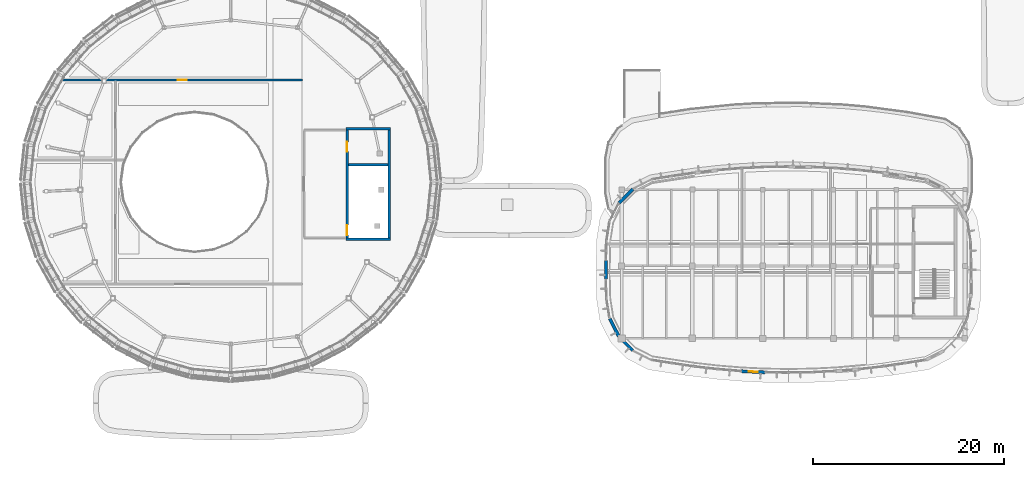
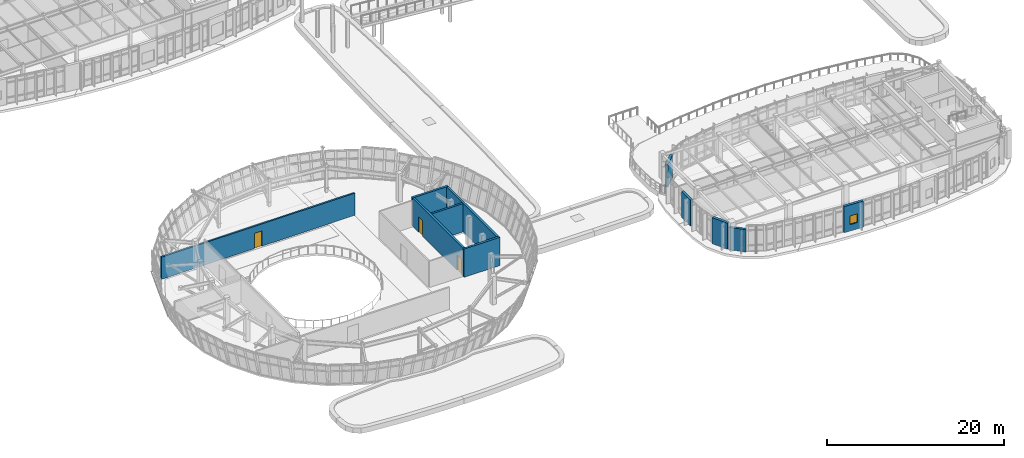
# One storey, part 83 of 111: 11 walls, 3 doors, 1 window, 4 openings.
"""IFC4 building model written with IfcOpenShell, lengths in metres."""

import ifcopenshell
import ifcopenshell.guid

model = None  # the IFC model being written
_history = None  # IfcOwnerHistory: only IFC2X3 demands one
_inside = {}  # id of a spatial element -> (the spatial element, [elements in it])
_under = {}  # id of a project, library or spatial element -> (it, [spatial elements below it])
_declared = {}  # id of a project -> (the project, [libraries it declares])
_typed = {}  # id of a type object -> (the type object, [elements of that type])
_made_of = {}  # id of a material, layer set ... -> (it, [elements and type objects made of it])


def new_model(schema):
    """Start an empty IFC model of exactly this schema.

    Asked for "IFC4X3", IfcOpenShell would pick the latest addendum, in which some entities
    have other attributes; the version numbers below select the first issue.
    IFC2X3 requires an IfcOwnerHistory on every rooted entity: one is made here for all.
    """
    global model, _history
    if schema == "IFC4X3":
        model = ifcopenshell.file(schema_version=(4, 3, 0, 0))
    else:
        model = ifcopenshell.file(schema=schema)
    _inside.clear()
    _under.clear()
    _declared.clear()
    _typed.clear()
    _made_of.clear()
    _history = None
    if model.schema == "IFC2X3":
        org = make("IfcOrganization", Name="unknown")
        user = make(
            "IfcPersonAndOrganization",
            ThePerson=make("IfcPerson", FamilyName="unknown"),
            TheOrganization=org,
        )
        app = make(
            "IfcApplication",
            ApplicationDeveloper=org,
            Version="unknown",
            ApplicationFullName="unknown",
            ApplicationIdentifier="unknown",
        )
        _history = make(
            "IfcOwnerHistory",
            OwningUser=user,
            OwningApplication=app,
            ChangeAction="ADDED",
            CreationDate=0,
        )
    return model


def make(cls, **values):
    """One entity of the class cls with the attributes given. An attribute that is None is left unset."""
    return model.create_entity(
        cls, **{name: value for name, value in values.items() if value is not None}
    )


def rooted(cls, **values):
    """An entity with a GlobalId (a new one), such as an element, a storey or a relation."""
    return make(cls, GlobalId=ifcopenshell.guid.new(), OwnerHistory=_history, **values)


def si_unit(unit_type, name, prefix=None):
    """IfcSIUnit, for example si_unit("LENGTHUNIT", "METRE", prefix="MILLI")."""
    return make("IfcSIUnit", UnitType=unit_type, Prefix=prefix, Name=name)


def assignment(units):
    """IfcUnitAssignment: the units of a project."""
    return None if units is None else make("IfcUnitAssignment", Units=units)


def point(xyz):
    """IfcCartesianPoint."""
    return None if xyz is None else make("IfcCartesianPoint", Coordinates=xyz)


def direction(xyz):
    """IfcDirection."""
    return None if xyz is None else make("IfcDirection", DirectionRatios=xyz)


def frame(location, z_axis=None, x_axis=None):
    """IfcAxis2Placement3D, a coordinate frame: its origin and axes. An axis left out is left unset."""
    return make(
        "IfcAxis2Placement3D",
        Location=point(location),
        Axis=direction(z_axis),
        RefDirection=direction(x_axis),
    )


def frame_2d(location, x_axis=None):
    """IfcAxis2Placement2D, a coordinate frame in the plane: its origin and x axis."""
    return make(
        "IfcAxis2Placement2D", Location=point(location), RefDirection=direction(x_axis)
    )


def origin():
    """The frame at (0, 0, 0) with its axes left unset."""
    return frame((0.0, 0.0, 0.0))


def place(relative_to, where):
    """IfcLocalPlacement: puts the frame where relative to a parent placement (None: the world)."""
    return make(
        "IfcLocalPlacement", PlacementRelTo=relative_to, RelativePlacement=where
    )


def context(
    kind, dimensions, precision=None, world=None, true_north=None, identifier=None
):
    """IfcGeometricRepresentationContext, for example the 3D "Model" context."""
    return make(
        "IfcGeometricRepresentationContext",
        ContextIdentifier=identifier,
        ContextType=kind,
        CoordinateSpaceDimension=dimensions,
        Precision=precision,
        WorldCoordinateSystem=world,
        TrueNorth=true_north,
    )


def subcontext(parent, identifier, kind, view, scale=None):
    """IfcGeometricRepresentationSubContext, for example "Body" below "Model"."""
    return make(
        "IfcGeometricRepresentationSubContext",
        ContextIdentifier=identifier,
        ContextType=kind,
        ParentContext=parent,
        TargetScale=scale,
        TargetView=view,
    )


def project(units=None, contexts=None):
    """IfcProject with its units and contexts."""
    return rooted(
        "IfcProject",
        Name="project",
        RepresentationContexts=contexts,
        UnitsInContext=assignment(units),
    )


def spatial(cls, under=None, at=None, **own):
    """A site, building, storey or space (cls), placed at a placement, below another one or the project."""
    s = rooted(cls, ObjectPlacement=at, **own)
    if under is not None:
        _under.setdefault(under.id(), (under, []))[1].append(s)
    return s


def profile(cls, at=None, kind="AREA", **sizes):
    """A parametric profile (cls). Its sizes go by their IFC names, for example OverallWidth=200.0."""
    return make(cls, ProfileType=kind, Position=at, **sizes)


def rectangle(**sizes):
    """IfcRectangleProfileDef."""
    return profile("IfcRectangleProfileDef", **sizes)


def extrude(swept, where, along, depth):
    """IfcExtrudedAreaSolid: the profile swept, set in the frame where, extruded along a direction by depth."""
    return make(
        "IfcExtrudedAreaSolid",
        SweptArea=swept,
        Position=where,
        ExtrudedDirection=direction(along),
        Depth=depth,
    )


def shape(context_of_items, identifier, shape_type, items):
    """IfcShapeRepresentation: the items that make up one representation, for example the "Body"."""
    return make(
        "IfcShapeRepresentation",
        ContextOfItems=context_of_items,
        RepresentationIdentifier=identifier,
        RepresentationType=shape_type,
        Items=items,
    )


def material(Name=None, Category=None):
    """IfcMaterial."""
    return make("IfcMaterial", Name=Name, Category=Category)


def layer(
    of_material, thickness, ventilated=None, Name=None, Category=None, Priority=None
):
    """IfcMaterialLayer: one layer of a wall or slab, of a material (None: an air gap)."""
    return make(
        "IfcMaterialLayer",
        Material=of_material,
        LayerThickness=thickness,
        IsVentilated=ventilated,
        Name=Name,
        Category=Category,
        Priority=Priority,
    )


def layer_set(layers, Name=None):
    """IfcMaterialLayerSet."""
    return make("IfcMaterialLayerSet", MaterialLayers=layers, LayerSetName=Name)


def made_of(thing, what):
    """Note that an element or type object is made of a material, layer set ...; save() writes the relation."""
    if what is not None:
        _made_of.setdefault(what.id(), (what, []))[1].append(thing)
    return thing


def type_object(cls, material=None, **own):
    """A type object (cls), such as IfcWallType, which elements share."""
    return made_of(rooted(cls, **own), material)


def element(
    cls,
    number,
    at=None,
    inside=None,
    cuts=None,
    type_object=None,
    material=None,
    context=None,
    identifier="Body",
    shape_type=None,
    held_by="IfcProductDefinitionShape",
    body=None,
    shapes=None,
    **own,
):
    """One element of the class cls, such as IfcWall. Its Tag is "e" and its number.

    at: its placement. inside: the storey or other place that contains it. cuts: it is an
    opening in that element (IfcRelVoidsElement). A single representation is given by context,
    identifier, shape_type and body (its items); several are given by shapes. held_by: the class
    of the entity that holds the representations. save() writes the other relations.
    """
    e = rooted(cls, Tag="e%d" % number, ObjectPlacement=at, **own)
    if body is not None:
        shapes = [shape(context, identifier, shape_type, body)]
    if shapes is not None:
        e.Representation = make(held_by, Representations=shapes)
    if inside is not None:
        _inside.setdefault(inside.id(), (inside, []))[1].append(e)
    if cuts is not None:
        rooted(
            "IfcRelVoidsElement", RelatingBuildingElement=cuts, RelatedOpeningElement=e
        )
    if type_object is not None:
        _typed.setdefault(type_object.id(), (type_object, []))[1].append(e)
    return made_of(e, material)


def fill(opening, filler):
    """IfcRelFillsElement: the door or window that sits in an opening."""
    return rooted(
        "IfcRelFillsElement",
        RelatingOpeningElement=opening,
        RelatedBuildingElement=filler,
    )


def aggregate(whole, parts):
    """IfcRelAggregates: a whole, such as a stair, and the parts it consists of."""
    return rooted("IfcRelAggregates", RelatingObject=whole, RelatedObjects=parts)


def save(model, path):
    """Write the relations noted so far, then the file.

    IfcRelAggregates (storeys below a building ...), IfcRelContainedInSpatialStructure (elements
    in a storey), IfcRelDefinesByType, IfcRelAssociatesMaterial and IfcRelDeclares: one each for
    every whole, place, type object, material and project.
    """
    for whole, parts in _under.values():
        aggregate(whole, parts)
    for where, things in _inside.values():
        rooted(
            "IfcRelContainedInSpatialStructure",
            RelatedElements=things,
            RelatingStructure=where,
        )
    for kind, things in _typed.values():
        rooted("IfcRelDefinesByType", RelatedObjects=things, RelatingType=kind)
    for what, things in _made_of.values():
        rooted("IfcRelAssociatesMaterial", RelatedObjects=things, RelatingMaterial=what)
    for by, libraries in _declared.values():
        rooted("IfcRelDeclares", RelatingContext=by, RelatedDefinitions=libraries)
    model.write(path)


model = new_model("IFC4")

# Units and contexts
model_context = context("Model", 3, precision=1e-05, world=origin(), true_north=direction((0.0, 1.0)))
body_context = subcontext(model_context, "Body", "Model", "MODEL_VIEW")
ifc_project = project(units=[si_unit("LENGTHUNIT", "METRE"), si_unit("AREAUNIT", "SQUARE_METRE"), si_unit("VOLUMEUNIT", "CUBIC_METRE"), si_unit("PLANEANGLEUNIT", "RADIAN"), si_unit("MASSUNIT", "GRAM", prefix="KILO")], contexts=[model_context])

# Site, building, storey
site_placement = place(None, origin())
site = spatial("IfcSite", under=ifc_project, at=site_placement, CompositionType="ELEMENT")
building_placement = place(site_placement, origin())
building = spatial("IfcBuilding", under=site, at=building_placement, Name="Corveleigh Park Community Centre", CompositionType="ELEMENT")
storey_placement = place(building_placement, frame((0.0, 0.0, 4.800048828125)))
storey = spatial("IfcBuildingStorey", under=building, at=storey_placement, Name="L01", CompositionType="ELEMENT", Elevation=4.800048828125)

# Walls
ifc_material_1 = material(Name="Precast concrete C40/50", Category="concrete")
ifc_layer_1 = layer(ifc_material_1, 0.300048828125, Name="Precast concrete C40/50", Category="concrete")
ifc_layer_set_1 = layer_set([ifc_layer_1], Name="Precast concrete C40/50")
wall_type_1 = type_object("IfcWallType", Name="WL-EXT-300", PredefinedType="STANDARD", material=ifc_layer_set_1)
wall_1_placement = place(storey_placement, frame((70.347900390625, 17.408935546875, 0.0), z_axis=(0.0, 0.0, 1.0), x_axis=(0.0, 1.0, 0.0)))
element("IfcWall", 1, at=wall_1_placement, inside=storey, type_object=wall_type_1, Name="V3 L01 Precast Facade Wall", PredefinedType="STANDARD", context=body_context, shape_type="SweptSolid", body=[
    extrude(rectangle(XDim=1.982177734375, YDim=0.300048828125, at=frame_2d((0.9912109375, 0.0))), origin(), (0.0, 0.0, 1.0), 3.612060546875),
])
wall_2_placement = place(storey_placement, frame((73.176025390625, 9.926025390625, 0.0), z_axis=(0.0, 0.0, 1.0), x_axis=(-0.707106781187, 0.707106781187, 0.0)))
element("IfcWall", 2, at=wall_2_placement, inside=storey, type_object=wall_type_1, Name="V3 L01 Precast Facade Wall", PredefinedType="STANDARD", context=body_context, shape_type="SweptSolid", body=[
    extrude(rectangle(XDim=2.050537109375, YDim=0.300048828125, at=frame_2d((1.025390625, 0.0))), origin(), (0.0, 0.0, 1.0), 3.10791015625),
])

# Wall, opening, window
ifc_layer_2 = layer(ifc_material_1, 0.320068359375, Name="Precast concrete C40/50", Category="concrete")
ifc_layer_set_2 = layer_set([ifc_layer_2], Name="Precast concrete C40/50")
wall_type_2 = type_object("IfcWallType", Name="WL-EXT-320", PredefinedType="STANDARD", material=ifc_layer_set_2)
wall_3_placement = place(storey_placement, frame((87.02099609375, 7.636962890625, 0.0), z_axis=(0.0, 0.0, 1.0), x_axis=(-0.998800270453, 0.048969579777, 0.0)))
wall_3 = element("IfcWall", 3, at=wall_3_placement, inside=storey, type_object=wall_type_2, Name="V3 L01 Precast Facade Wall", PredefinedType="STANDARD", context=body_context, shape_type="SweptSolid", body=[
    extrude(rectangle(XDim=2.452880859375, YDim=0.320068359375, at=frame_2d((1.2265625, 0.0))), origin(), (0.0, 0.0, 1.0), 3.619873046875),
])
opening_1_placement = place(wall_3_placement, frame((0.77587890625, 0.0, 0.89990234375)))
opening_1 = element("IfcOpeningElement", 4, at=opening_1_placement, cuts=wall_3, Name="Opening W01", PredefinedType="OPENING", context=body_context, shape_type="SweptSolid", body=[
    extrude(rectangle(XDim=0.89990234375, YDim=1.199951171875, at=frame_2d((0.449951171875, 0.60009765625))), frame((0.0, 0.169921875, 0.0), z_axis=(0.0, -1.0, 0.0), x_axis=(1.0, 0.0, 0.0)), (0.0, 0.0, 1.0), 0.340087890625),
])
ifc_material_2 = material(Name="Low-E double glazing", Category="glass")
window_type = type_object("IfcWindowType", Name="WIN-EXT-0900x1200", PartitioningType="SINGLE_PANEL", PredefinedType="WINDOW", material=ifc_material_2)
window_placement = place(opening_1_placement, origin())
window = element("IfcWindow", 5, at=window_placement, inside=storey, type_object=window_type, Name="V3 L01 Window 44", OverallHeight=1.199951171875, OverallWidth=0.89990234375, PartitioningType="SINGLE_PANEL", PredefinedType="WINDOW", context=body_context, shape_type="SweptSolid", body=[
    extrude(rectangle(XDim=0.89990234375, YDim=1.199951171875, at=frame_2d((0.449951171875, 0.60009765625))), frame((0.0, 0.030029296875, 0.0), z_axis=(0.0, -1.0, 0.0), x_axis=(1.0, 0.0, 0.0)), (0.0, 0.0, 1.0), 0.06005859375),
])
fill(opening_1, window)

# Walls
ifc_layer_3 = layer(ifc_material_1, 0.340087890625, Name="Precast concrete C40/50", Category="concrete")
ifc_layer_set_3 = layer_set([ifc_layer_3], Name="Precast concrete C40/50")
wall_type_3 = type_object("IfcWallType", Name="WL-EXT-340", PredefinedType="STANDARD", material=ifc_layer_set_3)
wall_4_placement = place(storey_placement, frame((71.72607421875, 25.424072265625, 0.0), z_axis=(0.0, 0.0, 1.0), x_axis=(0.707106781187, 0.707106781187, 0.0)))
element("IfcWall", 6, at=wall_4_placement, inside=storey, type_object=wall_type_3, Name="V3 L01 Precast Facade Wall", PredefinedType="STANDARD", context=body_context, shape_type="SweptSolid", body=[
    extrude(rectangle(XDim=2.050537109375, YDim=0.340087890625, at=frame_2d((1.025390625, 0.0))), origin(), (0.0, 0.0, 1.0), 3.119873046875),
])
wall_5_placement = place(storey_placement, frame((71.681884765625, 11.43701171875, 0.0), z_axis=(0.0, 0.0, 1.0), x_axis=(-0.454196706874, 0.890901426346, 0.0)))
element("IfcWall", 7, at=wall_5_placement, inside=storey, type_object=wall_type_3, Name="V3 L01 Precast Facade Wall", PredefinedType="STANDARD", context=body_context, shape_type="SweptSolid", body=[
    extrude(rectangle(XDim=2.0517578125, YDim=0.340087890625, at=frame_2d((1.02587890625, 0.0))), origin(), (0.0, 0.0, 1.0), 3.619873046875),
])

# Wall, opening, door
ifc_material_3 = material(Name="Masonry blockwork 7.3 MPa", Category="masonry")
ifc_layer_4 = layer(ifc_material_3, 0.215087890625, Name="Masonry blockwork 7.3 MPa", Category="masonry")
ifc_layer_set_4 = layer_set([ifc_layer_4], Name="Masonry blockwork 7.3 MPa")
wall_type_4 = type_object("IfcWallType", Name="WL-PRT-215", PredefinedType="PARTITIONING", material=ifc_layer_set_4)
wall_6_placement = place(storey_placement, frame((38.5, 38.300048828125, 0.0), z_axis=(0.0, 0.0, 1.0), x_axis=(-1.0, 0.0, 0.0)))
wall_6 = element("IfcWall", 8, at=wall_6_placement, inside=storey, type_object=wall_type_4, Name="Choir and Organ Gallery corridor wall", PredefinedType="PARTITIONING", context=body_context, shape_type="SweptSolid", body=[
    extrude(rectangle(XDim=25.19189453125, YDim=0.215087890625, at=frame_2d((12.595947265625, 0.0))), origin(), (0.0, 0.0, 1.0), 3.06103515625),
])
opening_2_placement = place(wall_6_placement, frame((12.1259765625, 0.0, 0.0)))
opening_2 = element("IfcOpeningElement", 9, at=opening_2_placement, cuts=wall_6, Name="Opening FD09", PredefinedType="OPENING", context=body_context, shape_type="SweptSolid", body=[
    extrude(rectangle(XDim=0.93994140625, YDim=2.10009765625, at=frame_2d((0.469970703125, 1.050048828125))), frame((0.0, 0.117431640625, 0.0), z_axis=(0.0, -1.0, 0.0), x_axis=(1.0, 0.0, 0.0)), (0.0, 0.0, 1.0), 0.235107421875),
])
ifc_material_4 = material(Name="Hardwood acoustic door leaf", Category="wood")
door_type_1 = type_object("IfcDoorType", Name="DR-FIR-0940x2100", OperationType="NOTDEFINED", PredefinedType="DOOR", material=ifc_material_4)
door_1_placement = place(opening_2_placement, origin())
door_1 = element("IfcDoor", 10, at=door_1_placement, inside=storey, type_object=door_type_1, Name="Choir and Organ Gallery door", OperationType="SINGLE_SWING_RIGHT", OverallHeight=2.10009765625, OverallWidth=0.93994140625, PredefinedType="DOOR", context=body_context, shape_type="SweptSolid", body=[
    extrude(rectangle(XDim=0.93994140625, YDim=2.10009765625, at=frame_2d((0.469970703125, 1.050048828125))), frame((0.0, 0.02490234375, 0.0), z_axis=(0.0, -1.0, 0.0), x_axis=(1.0, 0.0, 0.0)), (0.0, 0.0, 1.0), 0.050048828125),
])
fill(opening_2, door_1)

# Walls
ifc_material_5 = material(Name="Concrete C40/50", Category="concrete")
ifc_layer_5 = layer(ifc_material_5, 0.25, Name="Concrete C40/50", Category="concrete")
ifc_layer_set_5 = layer_set([ifc_layer_5], Name="Concrete C40/50")
wall_type_5 = type_object("IfcWallType", Name="WL-SHR-250", PredefinedType="SHEAR", material=ifc_layer_set_5)
wall_7_placement = place(storey_placement, frame((43.337890625, 29.39990234375, 0.0), z_axis=(0.0, 0.0, 1.0), x_axis=(1.0, 0.0, 0.0)))
element("IfcWall", 11, at=wall_7_placement, inside=storey, type_object=wall_type_5, Name="CORE5 shaft wall", PredefinedType="SHEAR", context=body_context, shape_type="SweptSolid", body=[
    extrude(rectangle(XDim=4.1240234375, YDim=0.25, at=frame_2d((2.06201171875, 0.0))), origin(), (0.0, 0.0, 1.0), 3.89990234375),
])
ifc_layer_6 = layer(ifc_material_5, 0.27490234375, Name="Concrete C40/50", Category="concrete")
ifc_layer_set_6 = layer_set([ifc_layer_6], Name="Concrete C40/50")
wall_type_6 = type_object("IfcWallType", Name="WL-SHR-275", PredefinedType="SHEAR", material=ifc_layer_set_6)
wall_8_placement = place(storey_placement, frame((43.06201171875, 21.60009765625, 0.0), z_axis=(0.0, 0.0, 1.0), x_axis=(1.0, 0.0, 0.0)))
element("IfcWall", 12, at=wall_8_placement, inside=storey, type_object=wall_type_6, Name="CORE5 south shear wall", PredefinedType="SHEAR", context=body_context, shape_type="SweptSolid", body=[
    extrude(rectangle(XDim=4.676025390625, YDim=0.27490234375, at=frame_2d((2.337890625, 0.0))), origin(), (0.0, 0.0, 1.0), 3.89990234375),
])
wall_9_placement = place(storey_placement, frame((47.60009765625, 21.738037109375, 0.0), z_axis=(0.0, 0.0, 1.0), x_axis=(0.0, 1.0, 0.0)))
element("IfcWall", 13, at=wall_9_placement, inside=storey, type_object=wall_type_6, Name="CORE5 east shear wall", PredefinedType="SHEAR", context=body_context, shape_type="SweptSolid", body=[
    extrude(rectangle(XDim=11.323974609375, YDim=0.27490234375, at=frame_2d((5.662109375, 0.0))), origin(), (0.0, 0.0, 1.0), 3.89990234375),
])
wall_10_placement = place(storey_placement, frame((47.738037109375, 33.199951171875, 0.0), z_axis=(0.0, 0.0, 1.0), x_axis=(-1.0, 0.0, 0.0)))
element("IfcWall", 14, at=wall_10_placement, inside=storey, type_object=wall_type_6, Name="CORE5 north shear wall", PredefinedType="SHEAR", context=body_context, shape_type="SweptSolid", body=[
    extrude(rectangle(XDim=4.676025390625, YDim=0.27490234375, at=frame_2d((2.337890625, 0.0))), origin(), (0.0, 0.0, 1.0), 3.89990234375),
])

# Wall, openings, doors
wall_11_placement = place(storey_placement, frame((43.199951171875, 33.06201171875, 0.0), z_axis=(0.0, 0.0, 1.0), x_axis=(0.0, -1.0, 0.0)))
wall_11 = element("IfcWall", 15, at=wall_11_placement, inside=storey, type_object=wall_type_6, Name="CORE5 west lobby wall", PredefinedType="SHEAR", context=body_context, shape_type="SweptSolid", body=[
    extrude(rectangle(XDim=11.323974609375, YDim=0.27490234375, at=frame_2d((5.662109375, 0.0))), origin(), (0.0, 0.0, 1.0), 3.89990234375),
])
opening_3_placement = place(wall_11_placement, frame((1.261962890625, 0.0, 0.0)))
opening_3 = element("IfcOpeningElement", 16, at=opening_3_placement, cuts=wall_11, Name="Opening LD02", PredefinedType="OPENING", context=body_context, shape_type="SweptSolid", body=[
    extrude(rectangle(XDim=1.0, YDim=2.14990234375, at=frame_2d((0.5, 1.074951171875))), frame((0.0, 0.1474609375, 0.0), z_axis=(0.0, -1.0, 0.0), x_axis=(1.0, 0.0, 0.0)), (0.0, 0.0, 1.0), 0.294921875),
])
opening_4_placement = place(wall_11_placement, frame((9.98193359375, 0.0, 0.0)))
opening_4 = element("IfcOpeningElement", 17, at=opening_4_placement, cuts=wall_11, Name="Opening FD04", PredefinedType="OPENING", context=body_context, shape_type="SweptSolid", body=[
    extrude(rectangle(XDim=1.06005859375, YDim=2.14990234375, at=frame_2d((0.530029296875, 1.074951171875))), frame((0.0, 0.1474609375, 0.0), z_axis=(0.0, -1.0, 0.0), x_axis=(1.0, 0.0, 0.0)), (0.0, 0.0, 1.0), 0.294921875),
])
door_type_2 = type_object("IfcDoorType", Name="DR-FIR-1060x2150", OperationType="NOTDEFINED", PredefinedType="DOOR", material=ifc_material_4)
door_2_placement = place(opening_4_placement, origin())
door_2 = element("IfcDoor", 18, at=door_2_placement, inside=storey, type_object=door_type_2, Name="Stair ST5 fire door L01", OperationType="SINGLE_SWING_LEFT", OverallHeight=2.14990234375, OverallWidth=1.06005859375, PredefinedType="DOOR", context=body_context, shape_type="SweptSolid", body=[
    extrude(rectangle(XDim=1.06005859375, YDim=2.14990234375, at=frame_2d((0.530029296875, 1.074951171875))), frame((0.0, 0.02490234375, 0.0), z_axis=(0.0, -1.0, 0.0), x_axis=(1.0, 0.0, 0.0)), (0.0, 0.0, 1.0), 0.050048828125),
])
fill(opening_4, door_2)
ifc_material_6 = material(Name="Brushed stainless steel lift car", Category="steel")
door_type_3 = type_object("IfcDoorType", Name="DR-LFT-1000x2150", OperationType="SLIDING_TO_LEFT", PredefinedType="DOOR", material=ifc_material_6)
door_3_placement = place(opening_3_placement, origin())
door_3 = element("IfcDoor", 19, at=door_3_placement, inside=storey, type_object=door_type_3, Name="Lift PL3 landing door L01", OperationType="SLIDING_TO_LEFT", OverallHeight=2.14990234375, OverallWidth=1.0, PredefinedType="DOOR", context=body_context, shape_type="SweptSolid", body=[
    extrude(rectangle(XDim=1.0, YDim=2.14990234375, at=frame_2d((0.5, 1.074951171875))), frame((0.0, 0.02490234375, 0.0), z_axis=(0.0, -1.0, 0.0), x_axis=(1.0, 0.0, 0.0)), (0.0, 0.0, 1.0), 0.050048828125),
])
fill(opening_3, door_3)

save(model, "model.ifc")
